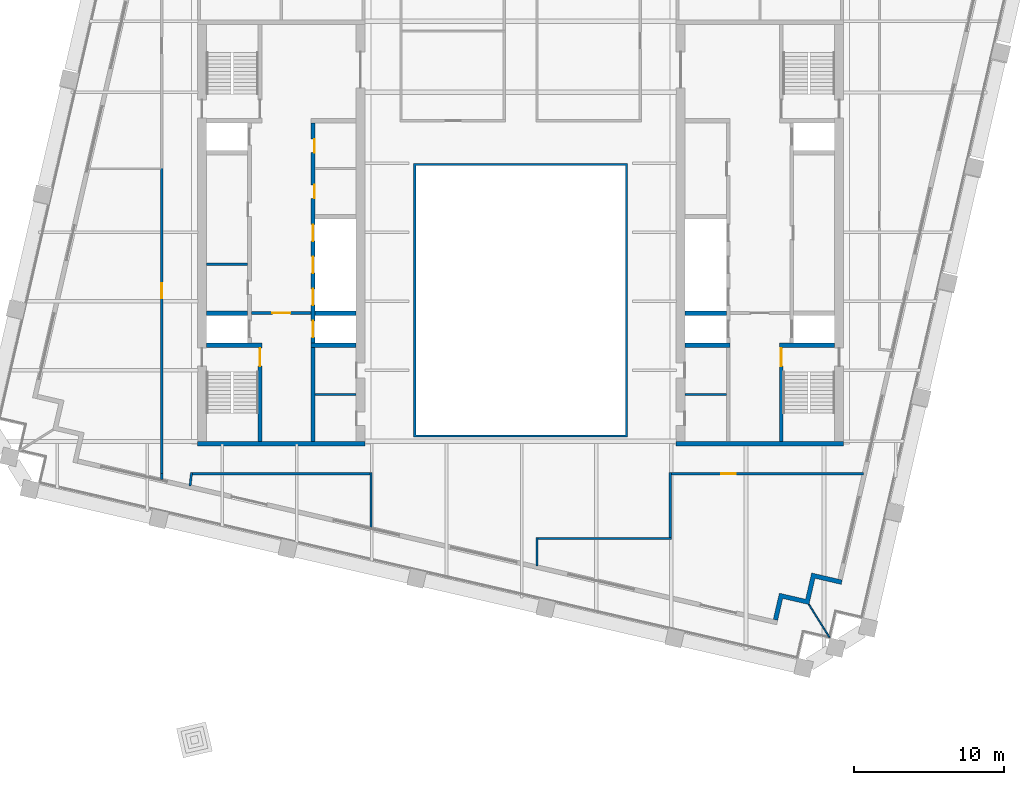
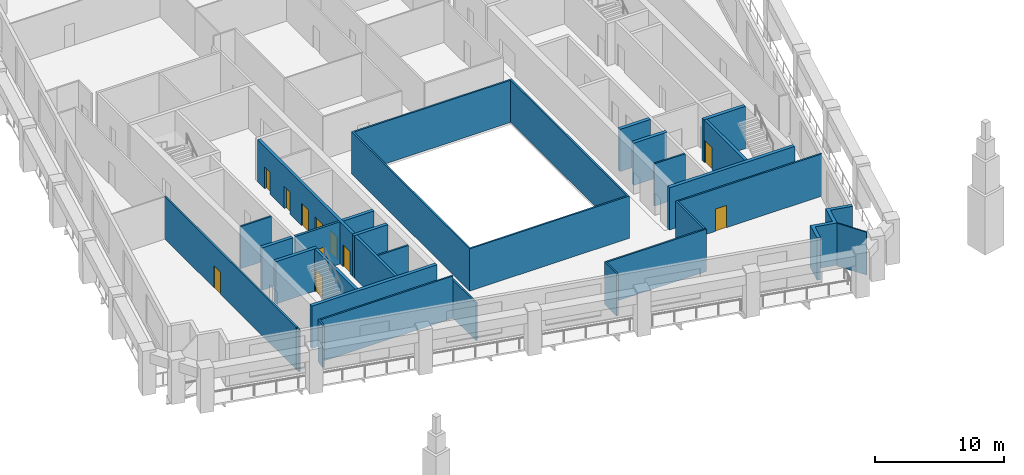
# One storey, part 4 of 9: 28 walls, 11 doors, 11 openings.
"""IFC4 building model written with IfcOpenShell, lengths in metres."""

from ifc_helpers import new_model, si_unit, direction, frame, frame_2d, origin, place, context, subcontext, project, spatial, polyline, rectangle, outline, extrude, material, layer, layer_set, type_object, element, fill, save


model = new_model("IFC4")

# Units and contexts
model_context = context("Model", 3, precision=1e-05, world=origin(), true_north=direction((0.0, 1.0)))
body_context = subcontext(model_context, "Body", "Model", "MODEL_VIEW")
ifc_project = project(units=[si_unit("LENGTHUNIT", "METRE"), si_unit("AREAUNIT", "SQUARE_METRE"), si_unit("VOLUMEUNIT", "CUBIC_METRE"), si_unit("PLANEANGLEUNIT", "RADIAN"), si_unit("MASSUNIT", "GRAM", prefix="KILO")], contexts=[model_context])

# Site, building, storey
site_placement = place(None, origin())
site = spatial("IfcSite", under=ifc_project, at=site_placement, CompositionType="ELEMENT")
building_placement = place(site_placement, origin())
building = spatial("IfcBuilding", under=site, at=building_placement, Name="Ogive Exchange Tower", CompositionType="ELEMENT")
storey_placement = place(building_placement, frame((0.0, 0.0, 243.0)))
storey = spatial("IfcBuildingStorey", under=building, at=storey_placement, Name="L52", CompositionType="ELEMENT", Elevation=243.0)

# Walls
ifc_material_1 = material(Name="Gypsum board partition")
ifc_layer_1 = layer(ifc_material_1, 0.14990234375)
ifc_layer_set_1 = layer_set([ifc_layer_1], Name="Core room partition 150 gypsum")
wall_type_1 = type_object("IfcWallType", Name="Core room partition 150 gypsum", PredefinedType="PARTITIONING", material=ifc_layer_set_1)
for number, where, z_axis, x_axis, name in (
    (1, (-21.0, 9.39990234375, 0.0), (0.0, 0.0, 1.0), (1.0, 0.0, 0.0), "W row A bay partition 1-1"),
    (2, (-13.75, 0.699951171875, 0.0), (0.0, 0.0, 1.0), (1.0, 0.0, 0.0), "W south room partition"),
    (3, (11.0, 0.699951171875, 0.0), (0.0, 0.0, 1.0), (1.0, 0.0, 0.0), "E south room partition"),
):
    element("IfcWall", number, at=place(storey_placement, frame(where, z_axis=z_axis, x_axis=x_axis)), inside=storey, type_object=wall_type_1, Name=name, PredefinedType="PARTITIONING", context=body_context, shape_type="SweptSolid", body=[
        extrude(rectangle(XDim=2.75, YDim=0.14990234375, at=frame_2d((1.375, 0.0))), origin(), (0.0, 0.0, 1.0), 4.0),
    ])

# Wall, opening, door
ifc_material_2 = material(Name="Fire partition EI 60 150")
ifc_layer_2 = layer(ifc_material_2, 0.14990234375)
ifc_layer_set_2 = layer_set([ifc_layer_2], Name="Fire partition EI 60 150")
wall_type_2 = type_object("IfcWallType", Name="Fire partition EI 60 150", PredefinedType="PARTITIONING", material=ifc_layer_set_2)
wall_1_placement = place(storey_placement, frame((-24.0, -4.60009765625, 0.0), z_axis=(0.0, 0.0, 1.0), x_axis=(0.0, 1.0, 0.0)))
wall_1 = element("IfcWall", 4, at=wall_1_placement, inside=storey, type_object=wall_type_2, Name="L52-PWL-002", PredefinedType="PARTITIONING", context=body_context, shape_type="SweptSolid", body=[
    extrude(rectangle(XDim=20.440185546875, YDim=0.14990234375, at=frame_2d((10.22021484375, 0.0))), origin(), (0.0, 0.0, 1.0), 4.0),
])
opening_1_placement = place(wall_1_placement, frame((11.739990234375, 0.0, 0.0)))
opening_1 = element("IfcOpeningElement", 5, at=opening_1_placement, cuts=wall_1, Name="Opening L52-I07", PredefinedType="OPENING", context=body_context, shape_type="SweptSolid", body=[
    extrude(rectangle(XDim=1.0, YDim=2.10009765625, at=frame_2d((0.5, 1.050048828125))), frame((0.0, 0.0849609375, 0.0), z_axis=(0.0, -1.0, 0.0), x_axis=(1.0, 0.0, 0.0)), (0.0, 0.0, 1.0), 0.169921875),
])
ifc_material_3 = material(Name="Fire door FD 30S 1000 x 2100")
door_type_1 = type_object("IfcDoorType", Name="Fire door FD 30S 1000 x 2100", OperationType="NOTDEFINED", PredefinedType="DOOR", material=ifc_material_3)
door_1_placement = place(opening_1_placement, origin())
door_1 = element("IfcDoor", 6, at=door_1_placement, inside=storey, type_object=door_type_1, Name="L52-IDR-007", ObjectType="DT3", OperationType="SINGLE_SWING_LEFT", OverallHeight=2.10009765625, OverallWidth=1.0, PredefinedType="DOOR", context=body_context, shape_type="SweptSolid", body=[
    extrude(rectangle(XDim=1.0, YDim=2.10009765625, at=frame_2d((0.5, 1.050048828125))), frame((0.0, 0.02490234375, 0.0), z_axis=(0.0, -1.0, 0.0), x_axis=(1.0, 0.0, 0.0)), (0.0, 0.0, 1.0), 0.050048828125),
])
fill(opening_1, door_1)

# Walls
wall_2_placement = place(storey_placement, frame((-23.989990234375, -4.986083984375, 0.0), z_axis=(0.0, 0.0, 1.0), x_axis=(0.0, 1.0, 0.0)))
element("IfcWall", 7, at=wall_2_placement, inside=storey, type_object=wall_type_2, Name="L52-PWL-007", PredefinedType="PARTITIONING", context=body_context, shape_type="SweptSolid", body=[
    extrude(rectangle(XDim=0.385986328125, YDim=0.14990234375, at=frame_2d((0.19287109375, 0.0))), origin(), (0.0, 0.0, 1.0), 4.0),
])
wall_3_placement = place(storey_placement, frame((-22.0009765625, -4.52490234375, 0.0), z_axis=(0.0, 0.0, 1.0), x_axis=(-0.115302119865, -0.993330469257, 0.0)))
element("IfcWall", 8, at=wall_3_placement, inside=storey, type_object=wall_type_2, Name="L52-PWL-009", PredefinedType="PARTITIONING", context=body_context, shape_type="SweptSolid", body=[
    extrude(rectangle(XDim=0.902099609375, YDim=0.14990234375, at=frame_2d((0.451171875, 0.0))), origin(), (0.0, 0.0, 1.0), 4.0),
])
wall_4_placement = place(storey_placement, frame((-10.0, -8.216064453125, 0.0), z_axis=(0.0, 0.0, 1.0), x_axis=(0.0, 1.0, 0.0)))
element("IfcWall", 9, at=wall_4_placement, inside=storey, type_object=wall_type_2, Name="L52-PWL-011", PredefinedType="PARTITIONING", context=body_context, shape_type="SweptSolid", body=[
    extrude(rectangle(XDim=3.691162109375, YDim=0.14990234375, at=frame_2d((1.845703125, 0.0))), origin(), (0.0, 0.0, 1.0), 3.593994140625),
])
wall_5_placement = place(storey_placement, frame((-10.074951171875, -4.60009765625, 0.0), z_axis=(0.0, 0.0, 1.0), x_axis=(-1.0, 0.0, 0.0)))
element("IfcWall", 10, at=wall_5_placement, inside=storey, type_object=wall_type_2, Name="L52-PWL-012", PredefinedType="PARTITIONING", context=body_context, shape_type="SweptSolid", body=[
    extrude(rectangle(XDim=11.860107421875, YDim=0.14990234375, at=frame_2d((5.93017578125, 0.0))), origin(), (0.0, 0.0, 1.0), 4.0),
])
wall_6_placement = place(storey_placement, frame((1.10009765625, -8.864990234375, 0.0), z_axis=(0.0, 0.0, 1.0), x_axis=(0.0, -1.0, 0.0)))
element("IfcWall", 11, at=wall_6_placement, inside=storey, type_object=wall_type_2, Name="L52-PWL-027", PredefinedType="PARTITIONING", context=body_context, shape_type="SweptSolid", body=[
    extrude(rectangle(XDim=1.9130859375, YDim=0.14990234375, at=frame_2d((0.95654296875, 0.0))), origin(), (0.0, 0.0, 1.0), 4.0),
])
wall_7_placement = place(storey_placement, frame((10.074951171875, -8.93994140625, 0.0), z_axis=(0.0, 0.0, 1.0), x_axis=(-1.0, 0.0, 0.0)))
element("IfcWall", 12, at=wall_7_placement, inside=storey, type_object=wall_type_2, Name="L52-PWL-042", PredefinedType="PARTITIONING", context=body_context, shape_type="SweptSolid", body=[
    extrude(rectangle(XDim=8.89990234375, YDim=0.14990234375, at=frame_2d((4.449951171875, 0.0))), origin(), (0.0, 0.0, 1.0), 4.0),
])
wall_8_placement = place(storey_placement, frame((10.0, -4.52490234375, 0.0), z_axis=(0.0, 0.0, 1.0), x_axis=(0.0, -1.0, 0.0)))
element("IfcWall", 13, at=wall_8_placement, inside=storey, type_object=wall_type_2, Name="L52-PWL-043", PredefinedType="PARTITIONING", context=body_context, shape_type="SweptSolid", body=[
    extrude(rectangle(XDim=4.340087890625, YDim=0.14990234375, at=frame_2d((2.169921875, 0.0))), origin(), (0.0, 0.0, 1.0), 4.0),
])

# Wall, opening, door
wall_9_placement = place(storey_placement, frame((22.922119140625, -4.60009765625, 0.0), z_axis=(0.0, 0.0, 1.0), x_axis=(-1.0, 0.0, 0.0)))
wall_9 = element("IfcWall", 14, at=wall_9_placement, inside=storey, type_object=wall_type_2, Name="L52-PWL-051", PredefinedType="PARTITIONING", context=body_context, shape_type="SweptSolid", body=[
    extrude(rectangle(XDim=12.84716796875, YDim=0.14990234375, at=frame_2d((6.423583984375, 0.0))), origin(), (0.0, 0.0, 1.0), 4.0),
])
opening_2_placement = place(wall_9_placement, frame((8.52197265625, 0.0, 0.0)))
opening_2 = element("IfcOpeningElement", 15, at=opening_2_placement, cuts=wall_9, Name="Opening L52-I15", PredefinedType="OPENING", context=body_context, shape_type="SweptSolid", body=[
    extrude(rectangle(XDim=1.0, YDim=2.10009765625, at=frame_2d((0.5, 1.050048828125))), frame((0.0, 0.0849609375, 0.0), z_axis=(0.0, -1.0, 0.0), x_axis=(1.0, 0.0, 0.0)), (0.0, 0.0, 1.0), 0.169921875),
])
door_2_placement = place(opening_2_placement, origin())
door_2 = element("IfcDoor", 16, at=door_2_placement, inside=storey, type_object=door_type_1, Name="L52-IDR-015", ObjectType="DT3", OperationType="SINGLE_SWING_LEFT", OverallHeight=2.10009765625, OverallWidth=1.0, PredefinedType="DOOR", context=body_context, shape_type="SweptSolid", body=[
    extrude(rectangle(XDim=1.0, YDim=2.10009765625, at=frame_2d((0.5, 1.050048828125))), frame((0.0, 0.02490234375, 0.0), z_axis=(0.0, -1.0, 0.0), x_axis=(1.0, 0.0, 0.0)), (0.0, 0.0, 1.0), 0.050048828125),
])
fill(opening_2, door_2)

# Walls
ifc_material_4 = material(Name="Fire-resisting glass in steel frame", Category="steel")
ifc_layer_3 = layer(ifc_material_4, 0.14990234375)
ifc_layer_set_3 = layer_set([ifc_layer_3], Name="Fire-rated glazed wall 150")
wall_type_3 = type_object("IfcWallType", Name="Fire-rated glazed wall 150", PredefinedType="STANDARD", material=ifc_layer_set_3)
wall_10_placement = place(storey_placement, origin())
element("IfcWall", 17, at=wall_10_placement, inside=storey, type_object=wall_type_3, Name="Nave enclosure wall", PredefinedType="STANDARD", context=body_context, shape_type="SweptSolid", body=[
    extrude(outline(polyline([(-7.14990234375, -2.14990234375), (7.14990234375, -2.14990234375), (7.14990234375, 16.14990234375), (-7.14990234375, 16.14990234375), (-7.14990234375, -2.14990234375)]), holes=[polyline([(-7.0, -2.0), (-7.0, 16.0), (7.0, 16.0), (7.0, -2.0), (-7.0, -2.0)])]), origin(), (0.0, 0.0, 1.0), 4.0),
])
ifc_material_5 = material(Name="Precast concrete C40/50", Category="concrete")
ifc_layer_4 = layer(ifc_material_5, 0.300048828125)
ifc_layer_set_4 = layer_set([ifc_layer_4], Name="Limestone-faced wall 300")
wall_type_4 = type_object("IfcWallType", Name="Limestone-faced wall 300", PredefinedType="STANDARD", material=ifc_layer_set_4)
wall_11_placement = place(storey_placement, origin())
element("IfcWall", 18, at=wall_11_placement, inside=storey, type_object=wall_type_4, Name="External corner wall C1", PredefinedType="STANDARD", context=body_context, shape_type="SweptSolid", body=[
    extrude(outline(polyline([(19.053955078125, -12.993408203125), (19.458740234375, -11.239501953125), (21.5048828125, -11.7119140625), (21.4375, -12.004150390625), (19.68359375, -11.599365234375), (19.27880859375, -13.353271484375), (17.52490234375, -12.9482421875), (17.1875, -14.409912109375), (16.89501953125, -14.34228515625), (17.300048828125, -12.58837890625), (19.053955078125, -12.993408203125)])), origin(), (0.0, 0.0, 1.0), 4.0),
])
ifc_material_6 = material(Name="Laminated safety glass in steel frame", Category="steel")
ifc_layer_5 = layer(ifc_material_6, 0.10009765625)
ifc_layer_set_5 = layer_set([ifc_layer_5], Name="Loggia end screen 100")
wall_type_5 = type_object("IfcWallType", Name="Loggia end screen 100", PredefinedType="STANDARD", material=ifc_layer_set_5)
wall_12_placement = place(storey_placement, frame((19.27880859375, -13.353271484375, -0.050048828125), z_axis=(0.0, 0.0, 1.0), x_axis=(0.529914407191, -0.848051131154, 0.0)))
element("IfcWall", 19, at=wall_12_placement, inside=storey, type_object=wall_type_5, Name="Loggia end screen C1", PredefinedType="STANDARD", context=body_context, shape_type="SweptSolid", body=[
    extrude(rectangle(XDim=2.59619140625, YDim=0.10009765625, at=frame_2d((1.298095703125, 0.0))), origin(), (0.0, 0.0, 1.0), 4.050048828125),
])

# Wall, opening, door
ifc_material_7 = material(Name="Concrete C70/85", Category="concrete")
ifc_layer_6 = layer(ifc_material_7, 0.199951171875)
ifc_layer_set_6 = layer_set([ifc_layer_6], Name="RC core wall 200 C70/85")
wall_type_6 = type_object("IfcWallType", Name="RC core wall 200 C70/85", PredefinedType="SHEAR", material=ifc_layer_set_6)
wall_13_placement = place(storey_placement, frame((-18.0, 6.142822265625, 0.0), z_axis=(0.0, 0.0, 1.0), x_axis=(1.0, 0.0, 0.0)))
wall_13 = element("IfcWall", 20, at=wall_13_placement, inside=storey, type_object=wall_type_6, Name="W firefighting lobby wall", PredefinedType="SHEAR", context=body_context, shape_type="SweptSolid", body=[
    extrude(rectangle(XDim=4.0, YDim=0.199951171875, at=frame_2d((2.0, 0.0))), origin(), (0.0, 0.0, 1.0), 4.0),
])
opening_3_placement = place(wall_13_placement, frame((1.39990234375, 0.0, 0.0)))
opening_3 = element("IfcOpeningElement", 21, at=opening_3_placement, cuts=wall_13, Name="Opening L52-C11", PredefinedType="OPENING", context=body_context, shape_type="SweptSolid", body=[
    extrude(rectangle(XDim=1.199951171875, YDim=2.10009765625, at=frame_2d((0.60009765625, 1.050048828125))), frame((0.0, 0.10986328125, 0.0), z_axis=(0.0, -1.0, 0.0), x_axis=(1.0, 0.0, 0.0)), (0.0, 0.0, 1.0), 0.219970703125),
])
ifc_material_8 = material(Name="Steel fire door", Category="steel")
door_type_2 = type_object("IfcDoorType", Name="Firefighting lobby door FD60 1200 x 2100", OperationType="NOTDEFINED", PredefinedType="DOOR", material=ifc_material_8)
door_3_placement = place(opening_3_placement, frame((1.199951171875, 0.0, 0.0), z_axis=(0.0, 0.0, 1.0), x_axis=(-1.0, 0.0, 0.0)))
door_3 = element("IfcDoor", 22, at=door_3_placement, inside=storey, type_object=door_type_2, Name="Firefighting lobby door", ObjectType="CD3", OperationType="SINGLE_SWING_RIGHT", OverallHeight=2.10009765625, OverallWidth=1.199951171875, PredefinedType="DOOR", context=body_context, shape_type="SweptSolid", body=[
    extrude(rectangle(XDim=1.199951171875, YDim=2.10009765625, at=frame_2d((0.60009765625, 1.050048828125))), frame((0.0, 0.02490234375, 0.0), z_axis=(0.0, -1.0, 0.0), x_axis=(1.0, 0.0, 0.0)), (0.0, 0.0, 1.0), 0.050048828125),
])
fill(opening_3, door_3)

ifc_layer_7 = layer(ifc_material_7, 0.25)
ifc_layer_set_7 = layer_set([ifc_layer_7], Name="RC core wall 250 C70/85")
wall_type_7 = type_object("IfcWallType", Name="RC core wall 250 C70/85", PredefinedType="SHEAR", material=ifc_layer_set_7)
wall_14_placement = place(storey_placement, frame((-17.425048828125, -2.449951171875, 0.0), z_axis=(0.0, 0.0, 1.0), x_axis=(0.0, 1.0, 0.0)))
wall_14 = element("IfcWall", 23, at=wall_14_placement, inside=storey, type_object=wall_type_7, Name="W stair S front wall", PredefinedType="SHEAR", context=body_context, shape_type="SweptSolid", body=[
    extrude(rectangle(XDim=6.300048828125, YDim=0.25, at=frame_2d((3.14990234375, 0.0))), origin(), (0.0, 0.0, 1.0), 4.0),
])
opening_4_placement = place(wall_14_placement, frame((5.050048828125, 0.0, 0.0)))
opening_4 = element("IfcOpeningElement", 24, at=opening_4_placement, cuts=wall_14, Name="Opening L52-C13", PredefinedType="OPENING", context=body_context, shape_type="SweptSolid", body=[
    extrude(rectangle(XDim=1.199951171875, YDim=2.10009765625, at=frame_2d((0.60009765625, 1.050048828125))), frame((0.0, 0.135009765625, 0.0), z_axis=(0.0, -1.0, 0.0), x_axis=(1.0, 0.0, 0.0)), (0.0, 0.0, 1.0), 0.27001953125),
])
door_type_3 = type_object("IfcDoorType", Name="Stair door FD90 1200 x 2100", OperationType="NOTDEFINED", PredefinedType="DOOR", material=ifc_material_8)
door_4_placement = place(opening_4_placement, origin())
door_4 = element("IfcDoor", 25, at=door_4_placement, inside=storey, type_object=door_type_3, Name="Stair door", ObjectType="CD5", OperationType="SINGLE_SWING_LEFT", OverallHeight=2.10009765625, OverallWidth=1.199951171875, PredefinedType="DOOR", context=body_context, shape_type="SweptSolid", body=[
    extrude(rectangle(XDim=1.199951171875, YDim=2.10009765625, at=frame_2d((0.60009765625, 1.050048828125))), frame((0.0, 0.02490234375, 0.0), z_axis=(0.0, -1.0, 0.0), x_axis=(1.0, 0.0, 0.0)), (0.0, 0.0, 1.0), 0.050048828125),
])
fill(opening_4, door_4)

# Wall, openings, doors
wall_15_placement = place(storey_placement, frame((-13.875, -2.449951171875, 0.0), z_axis=(0.0, 0.0, 1.0), x_axis=(0.0, 1.0, 0.0)))
wall_15 = element("IfcWall", 26, at=wall_15_placement, inside=storey, type_object=wall_type_7, Name="W row B front wall", PredefinedType="SHEAR", context=body_context, shape_type="SweptSolid", body=[
    extrude(rectangle(XDim=21.300048828125, YDim=0.25, at=frame_2d((10.64990234375, 0.0))), origin(), (0.0, 0.0, 1.0), 4.0),
])
opening_5_placement = place(wall_15_placement, frame((16.2607421875, 0.0, 0.0)))
opening_5 = element("IfcOpeningElement", 27, at=opening_5_placement, cuts=wall_15, Name="Opening L52-C05", PredefinedType="OPENING", context=body_context, shape_type="SweptSolid", body=[
    extrude(rectangle(XDim=0.89990234375, YDim=2.10009765625, at=frame_2d((0.449951171875, 1.050048828125))), frame((0.0, 0.135009765625, 0.0), z_axis=(0.0, -1.0, 0.0), x_axis=(1.0, 0.0, 0.0)), (0.0, 0.0, 1.0), 0.27001953125),
])
opening_6_placement = place(wall_15_placement, frame((19.324951171875, 0.0, 0.0)))
opening_6 = element("IfcOpeningElement", 28, at=opening_6_placement, cuts=wall_15, Name="Opening L52-C06", PredefinedType="OPENING", context=body_context, shape_type="SweptSolid", body=[
    extrude(rectangle(XDim=0.89990234375, YDim=2.10009765625, at=frame_2d((0.449951171875, 1.050048828125))), frame((0.0, 0.135009765625, 0.0), z_axis=(0.0, -1.0, 0.0), x_axis=(1.0, 0.0, 0.0)), (0.0, 0.0, 1.0), 0.27001953125),
])
opening_7_placement = place(wall_15_placement, frame((6.971435546875, 0.0, 0.0)))
opening_7 = element("IfcOpeningElement", 29, at=opening_7_placement, cuts=wall_15, Name="Opening L52-C07", PredefinedType="OPENING", context=body_context, shape_type="SweptSolid", body=[
    extrude(rectangle(XDim=1.10009765625, YDim=2.10009765625, at=frame_2d((0.550048828125, 1.050048828125))), frame((0.0, 0.135009765625, 0.0), z_axis=(0.0, -1.0, 0.0), x_axis=(1.0, 0.0, 0.0)), (0.0, 0.0, 1.0), 0.27001953125),
])
opening_8_placement = place(wall_15_placement, frame((9.1142578125, 0.0, 0.0)))
opening_8 = element("IfcOpeningElement", 30, at=opening_8_placement, cuts=wall_15, Name="Opening L52-C08", PredefinedType="OPENING", context=body_context, shape_type="SweptSolid", body=[
    extrude(rectangle(XDim=1.10009765625, YDim=2.10009765625, at=frame_2d((0.550048828125, 1.050048828125))), frame((0.0, 0.135009765625, 0.0), z_axis=(0.0, -1.0, 0.0), x_axis=(1.0, 0.0, 0.0)), (0.0, 0.0, 1.0), 0.27001953125),
])
opening_9_placement = place(wall_15_placement, frame((11.257080078125, 0.0, 0.0)))
opening_9 = element("IfcOpeningElement", 31, at=opening_9_placement, cuts=wall_15, Name="Opening L52-C09", PredefinedType="OPENING", context=body_context, shape_type="SweptSolid", body=[
    extrude(rectangle(XDim=1.10009765625, YDim=2.10009765625, at=frame_2d((0.550048828125, 1.050048828125))), frame((0.0, 0.135009765625, 0.0), z_axis=(0.0, -1.0, 0.0), x_axis=(1.0, 0.0, 0.0)), (0.0, 0.0, 1.0), 0.27001953125),
])
opening_10_placement = place(wall_15_placement, frame((13.39990234375, 0.0, 0.0)))
opening_10 = element("IfcOpeningElement", 32, at=opening_10_placement, cuts=wall_15, Name="Opening L52-C10", PredefinedType="OPENING", context=body_context, shape_type="SweptSolid", body=[
    extrude(rectangle(XDim=1.10009765625, YDim=2.10009765625, at=frame_2d((0.550048828125, 1.050048828125))), frame((0.0, 0.135009765625, 0.0), z_axis=(0.0, -1.0, 0.0), x_axis=(1.0, 0.0, 0.0)), (0.0, 0.0, 1.0), 0.27001953125),
])
ifc_material_9 = material(Name="Timber fire door", Category="wood")
door_type_4 = type_object("IfcDoorType", Name="Core room door FD30S 900 x 2100", OperationType="NOTDEFINED", PredefinedType="DOOR", material=ifc_material_9)
door_5_placement = place(opening_5_placement, frame((0.89990234375, -0.2001953125, 0.0), z_axis=(0.0, 0.0, 1.0), x_axis=(-1.0, 0.0, 0.0)))
door_5 = element("IfcDoor", 33, at=door_5_placement, inside=storey, type_object=door_type_4, Name="Core room door", ObjectType="CD6", OperationType="SINGLE_SWING_RIGHT", OverallHeight=2.10009765625, OverallWidth=0.89990234375, PredefinedType="DOOR", context=body_context, shape_type="SweptSolid", body=[
    extrude(rectangle(XDim=0.89990234375, YDim=2.10009765625, at=frame_2d((0.449951171875, 1.050048828125))), frame((0.0, -0.0751953125, 0.0), z_axis=(0.0, -1.0, 0.0), x_axis=(1.0, 0.0, 0.0)), (0.0, 0.0, 1.0), 0.050048828125),
])
fill(opening_5, door_5)
ifc_material_10 = material(Name="Stainless steel", Category="steel")
door_type_5 = type_object("IfcDoorType", Name="Lift landing door FD90 1100 x 2100", OperationType="SLIDING_TO_LEFT", PredefinedType="DOOR", material=ifc_material_10)
door_6_placement = place(opening_7_placement, origin())
door_6 = element("IfcDoor", 34, at=door_6_placement, inside=storey, type_object=door_type_5, Name="Lift landing door SV1", ObjectType="LD", OperationType="SLIDING_TO_LEFT", OverallHeight=2.10009765625, OverallWidth=1.10009765625, PredefinedType="DOOR", context=body_context, shape_type="SweptSolid", body=[
    extrude(rectangle(XDim=1.10009765625, YDim=2.10009765625, at=frame_2d((0.550048828125, 1.050048828125))), frame((0.0, 0.02490234375, 0.0), z_axis=(0.0, -1.0, 0.0), x_axis=(1.0, 0.0, 0.0)), (0.0, 0.0, 1.0), 0.050048828125),
])
fill(opening_7, door_6)
door_7_placement = place(opening_8_placement, origin())
door_7 = element("IfcDoor", 35, at=door_7_placement, inside=storey, type_object=door_type_5, Name="Lift landing door W-M1", ObjectType="LD", OperationType="SLIDING_TO_LEFT", OverallHeight=2.10009765625, OverallWidth=1.10009765625, PredefinedType="DOOR", context=body_context, shape_type="SweptSolid", body=[
    extrude(rectangle(XDim=1.10009765625, YDim=2.10009765625, at=frame_2d((0.550048828125, 1.050048828125))), frame((0.0, 0.02490234375, 0.0), z_axis=(0.0, -1.0, 0.0), x_axis=(1.0, 0.0, 0.0)), (0.0, 0.0, 1.0), 0.050048828125),
])
fill(opening_8, door_7)
door_8_placement = place(opening_9_placement, origin())
door_8 = element("IfcDoor", 36, at=door_8_placement, inside=storey, type_object=door_type_5, Name="Lift landing door W-M2", ObjectType="LD", OperationType="SLIDING_TO_LEFT", OverallHeight=2.10009765625, OverallWidth=1.10009765625, PredefinedType="DOOR", context=body_context, shape_type="SweptSolid", body=[
    extrude(rectangle(XDim=1.10009765625, YDim=2.10009765625, at=frame_2d((0.550048828125, 1.050048828125))), frame((0.0, 0.02490234375, 0.0), z_axis=(0.0, -1.0, 0.0), x_axis=(1.0, 0.0, 0.0)), (0.0, 0.0, 1.0), 0.050048828125),
])
fill(opening_9, door_8)
door_9_placement = place(opening_10_placement, origin())
door_9 = element("IfcDoor", 37, at=door_9_placement, inside=storey, type_object=door_type_5, Name="Lift landing door W-M3", ObjectType="LD", OperationType="SLIDING_TO_LEFT", OverallHeight=2.10009765625, OverallWidth=1.10009765625, PredefinedType="DOOR", context=body_context, shape_type="SweptSolid", body=[
    extrude(rectangle(XDim=1.10009765625, YDim=2.10009765625, at=frame_2d((0.550048828125, 1.050048828125))), frame((0.0, 0.02490234375, 0.0), z_axis=(0.0, -1.0, 0.0), x_axis=(1.0, 0.0, 0.0)), (0.0, 0.0, 1.0), 0.050048828125),
])
fill(opening_10, door_9)
door_type_6 = type_object("IfcDoorType", Name="Riser door FD60 900 x 2100", OperationType="NOTDEFINED", PredefinedType="DOOR", material=ifc_material_8)
door_10_placement = place(opening_6_placement, frame((0.89990234375, -0.2001953125, 0.0), z_axis=(0.0, 0.0, 1.0), x_axis=(-1.0, 0.0, 0.0)))
door_10 = element("IfcDoor", 38, at=door_10_placement, inside=storey, type_object=door_type_6, Name="Riser door", ObjectType="CD2", OperationType="SINGLE_SWING_RIGHT", OverallHeight=2.10009765625, OverallWidth=0.89990234375, PredefinedType="DOOR", context=body_context, shape_type="SweptSolid", body=[
    extrude(rectangle(XDim=0.89990234375, YDim=2.10009765625, at=frame_2d((0.449951171875, 1.050048828125))), frame((0.0, -0.0751953125, 0.0), z_axis=(0.0, -1.0, 0.0), x_axis=(1.0, 0.0, 0.0)), (0.0, 0.0, 1.0), 0.050048828125),
])
fill(opening_6, door_10)

# Wall, opening, door
wall_16_placement = place(storey_placement, frame((17.425048828125, -2.449951171875, 0.0), z_axis=(0.0, 0.0, 1.0), x_axis=(0.0, 1.0, 0.0)))
wall_16 = element("IfcWall", 39, at=wall_16_placement, inside=storey, type_object=wall_type_7, Name="E stair S front wall", PredefinedType="SHEAR", context=body_context, shape_type="SweptSolid", body=[
    extrude(rectangle(XDim=6.300048828125, YDim=0.25, at=frame_2d((3.14990234375, 0.0))), origin(), (0.0, 0.0, 1.0), 4.0),
])
opening_11_placement = place(wall_16_placement, frame((5.050048828125, 0.0, 0.0)))
opening_11 = element("IfcOpeningElement", 40, at=opening_11_placement, cuts=wall_16, Name="Opening L52-C31", PredefinedType="OPENING", context=body_context, shape_type="SweptSolid", body=[
    extrude(rectangle(XDim=1.199951171875, YDim=2.10009765625, at=frame_2d((0.60009765625, 1.050048828125))), frame((0.0, 0.135009765625, 0.0), z_axis=(0.0, -1.0, 0.0), x_axis=(1.0, 0.0, 0.0)), (0.0, 0.0, 1.0), 0.27001953125),
])
door_11_placement = place(opening_11_placement, frame((1.199951171875, 0.0, 0.0), z_axis=(0.0, 0.0, 1.0), x_axis=(-1.0, 0.0, 0.0)))
door_11 = element("IfcDoor", 41, at=door_11_placement, inside=storey, type_object=door_type_3, Name="Stair door", ObjectType="CD5", OperationType="SINGLE_SWING_RIGHT", OverallHeight=2.10009765625, OverallWidth=1.199951171875, PredefinedType="DOOR", context=body_context, shape_type="SweptSolid", body=[
    extrude(rectangle(XDim=1.199951171875, YDim=2.10009765625, at=frame_2d((0.60009765625, 1.050048828125))), frame((0.0, 0.02490234375, 0.0), z_axis=(0.0, -1.0, 0.0), x_axis=(1.0, 0.0, 0.0)), (0.0, 0.0, 1.0), 0.050048828125),
])
fill(opening_11, door_11)

# Walls
ifc_layer_8 = layer(ifc_material_7, 0.300048828125)
ifc_layer_set_8 = layer_set([ifc_layer_8], Name="RC core wall 300 C70/85")
wall_type_8 = type_object("IfcWallType", Name="RC core wall 300 C70/85", PredefinedType="SHEAR", material=ifc_layer_set_8)
wall_17_placement = place(storey_placement, frame((-21.60009765625, -2.60009765625, 0.0), z_axis=(0.0, 0.0, 1.0), x_axis=(1.0, 0.0, 0.0)))
element("IfcWall", 42, at=wall_17_placement, inside=storey, type_object=wall_type_8, Name="W south end wall", PredefinedType="SHEAR", context=body_context, shape_type="SweptSolid", body=[
    extrude(rectangle(XDim=11.2001953125, YDim=0.300048828125, at=frame_2d((5.60009765625, 0.0))), origin(), (0.0, 0.0, 1.0), 4.0),
])
wall_18_placement = place(storey_placement, frame((-21.0, 4.0, 0.0), z_axis=(0.0, 0.0, 1.0), x_axis=(1.0, 0.0, 0.0)))
element("IfcWall", 43, at=wall_18_placement, inside=storey, type_object=wall_type_8, Name="W stair S north wall", PredefinedType="SHEAR", context=body_context, shape_type="SweptSolid", body=[
    extrude(rectangle(XDim=3.699951171875, YDim=0.300048828125, at=frame_2d((1.85009765625, 0.0))), origin(), (0.0, 0.0, 1.0), 4.0),
])
wall_19_placement = place(storey_placement, frame((-21.0, 6.142822265625, 0.0), z_axis=(0.0, 0.0, 1.0), x_axis=(1.0, 0.0, 0.0)))
element("IfcWall", 44, at=wall_19_placement, inside=storey, type_object=wall_type_8, Name="W row A divider 1", PredefinedType="SHEAR", context=body_context, shape_type="SweptSolid", body=[
    extrude(rectangle(XDim=2.75, YDim=0.300048828125, at=frame_2d((1.375, 0.0))), origin(), (0.0, 0.0, 1.0), 4.0),
])
wall_20_placement = place(storey_placement, frame((-14.0, 4.0, 0.0), z_axis=(0.0, 0.0, 1.0), x_axis=(1.0, 0.0, 0.0)))
element("IfcWall", 45, at=wall_20_placement, inside=storey, type_object=wall_type_8, Name="W row B divider 0", PredefinedType="SHEAR", context=body_context, shape_type="SweptSolid", body=[
    extrude(rectangle(XDim=3.0, YDim=0.300048828125, at=frame_2d((1.5, 0.0))), origin(), (0.0, 0.0, 1.0), 4.0),
])
wall_21_placement = place(storey_placement, frame((-13.75, 6.142822265625, 0.0), z_axis=(0.0, 0.0, 1.0), x_axis=(1.0, 0.0, 0.0)))
element("IfcWall", 46, at=wall_21_placement, inside=storey, type_object=wall_type_8, Name="W row B divider 1", PredefinedType="SHEAR", context=body_context, shape_type="SweptSolid", body=[
    extrude(rectangle(XDim=2.75, YDim=0.300048828125, at=frame_2d((1.375, 0.0))), origin(), (0.0, 0.0, 1.0), 4.0),
])
wall_22_placement = place(storey_placement, frame((10.39990234375, -2.60009765625, 0.0), z_axis=(0.0, 0.0, 1.0), x_axis=(1.0, 0.0, 0.0)))
element("IfcWall", 47, at=wall_22_placement, inside=storey, type_object=wall_type_8, Name="E south end wall", PredefinedType="SHEAR", context=body_context, shape_type="SweptSolid", body=[
    extrude(rectangle(XDim=11.2001953125, YDim=0.300048828125, at=frame_2d((5.60009765625, 0.0))), origin(), (0.0, 0.0, 1.0), 4.0),
])
wall_23_placement = place(storey_placement, frame((17.300048828125, 4.0, 0.0), z_axis=(0.0, 0.0, 1.0), x_axis=(1.0, 0.0, 0.0)))
element("IfcWall", 48, at=wall_23_placement, inside=storey, type_object=wall_type_8, Name="E stair S north wall", PredefinedType="SHEAR", context=body_context, shape_type="SweptSolid", body=[
    extrude(rectangle(XDim=3.699951171875, YDim=0.300048828125, at=frame_2d((1.85009765625, 0.0))), origin(), (0.0, 0.0, 1.0), 4.0),
])
wall_24_placement = place(storey_placement, frame((11.0, 4.0, 0.0), z_axis=(0.0, 0.0, 1.0), x_axis=(1.0, 0.0, 0.0)))
element("IfcWall", 49, at=wall_24_placement, inside=storey, type_object=wall_type_8, Name="E row B divider 0", PredefinedType="SHEAR", context=body_context, shape_type="SweptSolid", body=[
    extrude(rectangle(XDim=3.0, YDim=0.300048828125, at=frame_2d((1.5, 0.0))), origin(), (0.0, 0.0, 1.0), 4.0),
])
wall_25_placement = place(storey_placement, frame((11.0, 6.142822265625, 0.0), z_axis=(0.0, 0.0, 1.0), x_axis=(1.0, 0.0, 0.0)))
element("IfcWall", 50, at=wall_25_placement, inside=storey, type_object=wall_type_8, Name="E row B divider 1", PredefinedType="SHEAR", context=body_context, shape_type="SweptSolid", body=[
    extrude(rectangle(XDim=2.75, YDim=0.300048828125, at=frame_2d((1.375, 0.0))), origin(), (0.0, 0.0, 1.0), 4.0),
])

save(model, "model.ifc")
